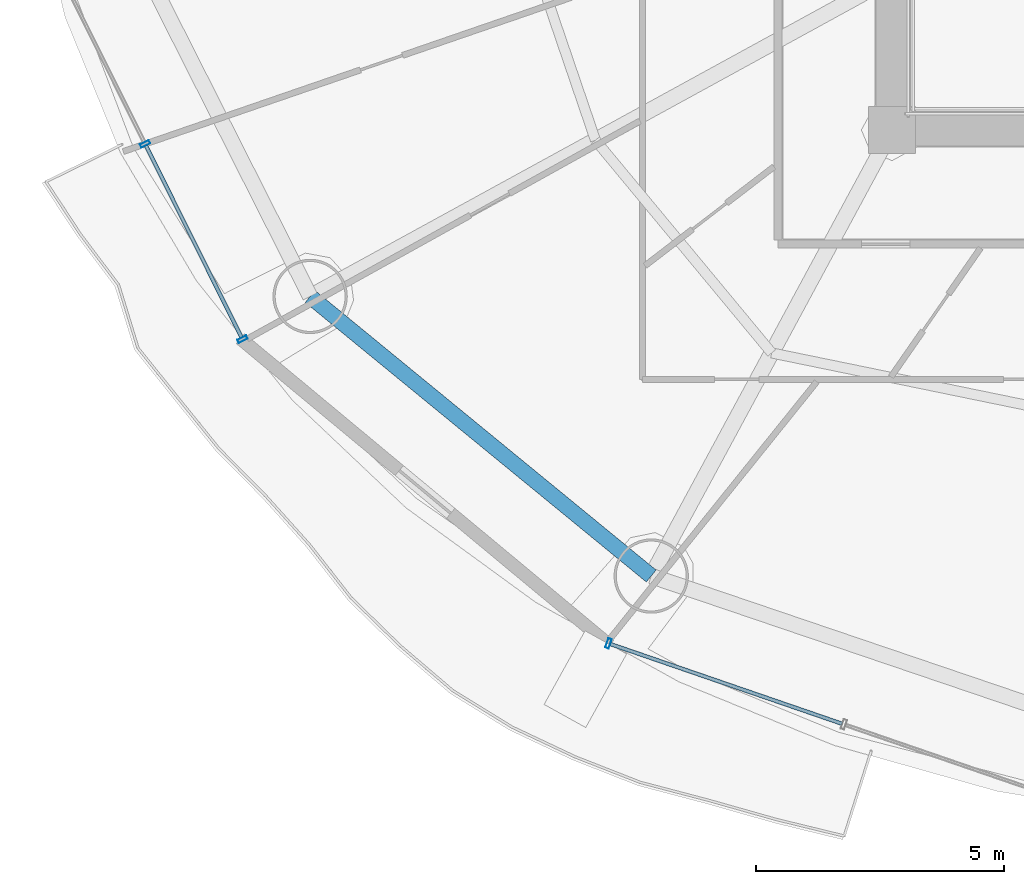
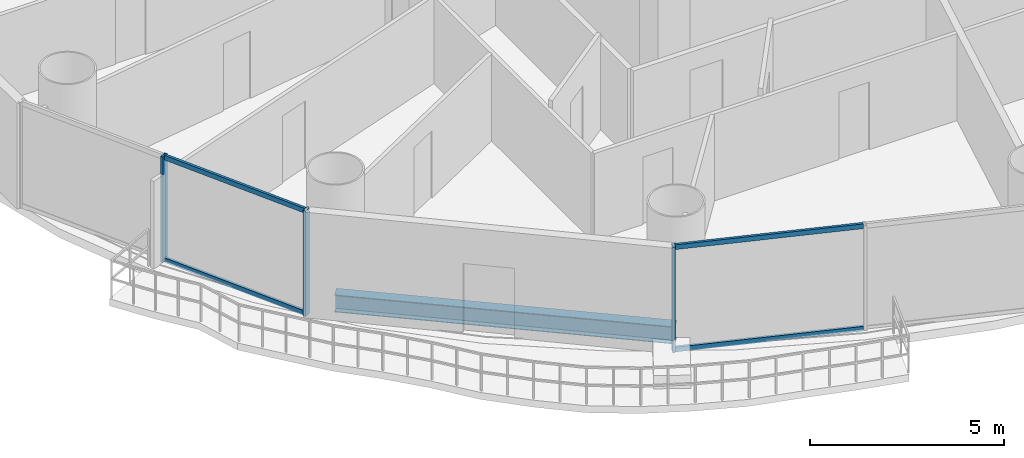
# One storey, part 2 of 29: 7 members, 1 beam, 2 elements without a shape of their own.
"""IFC4 building model written with IfcOpenShell, lengths in metres."""

from ifc_helpers import new_model, si_unit, direction, frame, origin, origin_2d, place, context, subcontext, project, spatial, hollow_rectangle, i_section, extrude, source, transform, mapped, material, material_profile, profile_set, type_object, element, aggregate, save


model = new_model("IFC4")

# Units and contexts
model_context = context("Model", 3, precision=1e-05, world=origin(), true_north=direction((-0.2419218956, 0.970295726276)))
body_context = subcontext(model_context, "Body", "Model", "MODEL_VIEW")
ifc_project = project(units=[si_unit("LENGTHUNIT", "METRE"), si_unit("AREAUNIT", "SQUARE_METRE"), si_unit("VOLUMEUNIT", "CUBIC_METRE"), si_unit("PLANEANGLEUNIT", "RADIAN"), si_unit("MASSUNIT", "GRAM", prefix="KILO")], contexts=[model_context])

# Site, building, storey
site_placement = place(None, origin())
site = spatial("IfcSite", under=ifc_project, at=site_placement, CompositionType="ELEMENT")
building_placement = place(site_placement, origin())
building = spatial("IfcBuilding", under=site, at=building_placement, Name="Cobrevalo Terracotta Tower", CompositionType="ELEMENT")
storey_placement = place(building_placement, frame((0.0, 0.0, 90.60009765625)))
storey = spatial("IfcBuildingStorey", under=building, at=storey_placement, Name="L23", CompositionType="ELEMENT", Elevation=90.60009765625)

# Beam
ifc_material_1 = material(Name="Steel S355", Category="steel")
ifc_material_profile_1 = material_profile(ifc_material_1, i_section(OverallWidth=0.31201171875, OverallDepth=0.54296875, WebThickness=0.0126953125, FlangeThickness=0.020263671875, at=origin_2d()), Name="W 530x150")
ifc_profile_set_1 = profile_set([ifc_material_profile_1], Name="Steel S355")
beam_type = type_object("IfcBeamType", Name="Structural Spandrel W 530x150 (Steel S355)", PredefinedType="SPANDREL", material=ifc_profile_set_1)
beam_placement = place(storey_placement, frame((17.2548828125, 15.4384765625, -0.546630859375), z_axis=(0.773400923541, -0.633917196064, 0.0), x_axis=(0.633917196064, 0.773400923541, 0.0)))
element("IfcBeam", 1, at=beam_placement, inside=storey, type_object=beam_type, Name="L23 perimeter ring spandrel 10", PredefinedType="SPANDREL", context=body_context, shape_type="SweptSolid", body=[
    extrude(i_section(OverallWidth=0.31201171875, OverallDepth=0.54296875, WebThickness=0.0126953125, FlangeThickness=0.020263671875, at=origin_2d()), origin(), (0.0, 0.0, 1.0), 8.900390625),
])

# Curtain wall, members
ifc_material_2 = material(Name="Anodized aluminium", Category="aluminium")
curtain_wall_type = type_object("IfcCurtainWallType", Name="Lower-tower unitised acoustic low-E curtain wall CW-U1", PredefinedType="NOTDEFINED", material=ifc_material_2)
curtain_wall_1_placement = place(storey_placement, origin())
curtain_wall_1 = element("IfcCurtainWall", 2, at=curtain_wall_1_placement, inside=storey, type_object=curtain_wall_type, Name="L23 curtain wall CW-L23-S09", PredefinedType="NOTDEFINED")
ifc_material_profile_2 = material_profile(ifc_material_2, hollow_rectangle(XDim=0.074951171875, YDim=0.199951171875, WallThickness=0.0048828125, at=origin_2d()), Name="CWM 75x200")
ifc_profile_set_2 = profile_set([ifc_material_profile_2], Name="Anodized aluminium")
member_type_1 = type_object("IfcMemberType", Name="Lower/mid tower unitised mullion 75x200", PredefinedType="MULLION", material=ifc_profile_set_2)
shared_shape_1 = source(origin(), body_context, "Body", "SweptSolid", [
    extrude(hollow_rectangle(XDim=0.074951171875, YDim=0.199951171875, WallThickness=0.0048828125, at=origin_2d()), origin(), (0.0, 0.0, 1.0), 3.324951171875),
])
member_1_placement = place(storey_placement, frame((13.924072265625, 18.516357421875, 0.0), z_axis=(0.0, 0.0, 1.0), x_axis=(0.446260290227, -0.894903208937, 0.0)))
member_1 = element("IfcMember", 3, at=member_1_placement, type_object=member_type_1, Name="CW-L23-S09 vertical mullion 02", PredefinedType="MULLION", context=body_context, shape_type="MappedRepresentation", body=[
    mapped(shared_shape_1, transform((0.0, 0.0, 0.0), scale=1.0)),
])
member_2_placement = place(storey_placement, frame((15.889892578125, 14.574462890625, 0.0), z_axis=(0.0, 0.0, 1.0), x_axis=(0.446260290227, -0.894903208937, 0.0)))
member_2 = element("IfcMember", 4, at=member_2_placement, type_object=member_type_1, Name="CW-L23-S09 vertical mullion 03", PredefinedType="MULLION", context=body_context, shape_type="MappedRepresentation", body=[
    mapped(shared_shape_1, transform((0.0, 0.0, 0.0), scale=1.0)),
])

curtain_wall_2_placement = place(storey_placement, origin())
curtain_wall_2 = element("IfcCurtainWall", 5, at=curtain_wall_2_placement, inside=storey, type_object=curtain_wall_type, Name="L23 curtain wall CW-L23-S11", PredefinedType="NOTDEFINED")
member_3_placement = place(storey_placement, frame((23.2763671875, 8.4365234375, 0.0), z_axis=(0.0, 0.0, 1.0), x_axis=(0.94559809868, -0.325337110968, 0.0)))
member_3 = element("IfcMember", 6, at=member_3_placement, type_object=member_type_1, Name="CW-L23-S11 vertical mullion 01", PredefinedType="MULLION", context=body_context, shape_type="MappedRepresentation", body=[
    mapped(shared_shape_1, transform((0.0, 0.0, 0.0), scale=1.0)),
])
ifc_material_profile_3 = material_profile(ifc_material_2, hollow_rectangle(XDim=0.074951171875, YDim=0.14990234375, WallThickness=0.00439453125, at=origin_2d()), Name="CWT 75x150")
ifc_profile_set_3 = profile_set([ifc_material_profile_3], Name="Anodized aluminium")
member_type_2 = type_object("IfcMemberType", Name="Tower unitised aluminium transom 75x150", PredefinedType="USERDEFINED", material=ifc_profile_set_3)
shared_shape_2 = source(origin(), body_context, "Body", "SweptSolid", [
    extrude(hollow_rectangle(XDim=0.074951171875, YDim=0.14990234375, WallThickness=0.00439453125, at=origin_2d()), origin(), (0.0, 0.0, 1.0), 4.944580078125),
])
member_4_placement = place(storey_placement, frame((23.314208984375, 8.42333984375, 0.0498046875), z_axis=(0.945597859971, -0.32533780478, 0.0), x_axis=(0.32533780478, 0.945597859971, 0.0)))
member_4 = element("IfcMember", 7, at=member_4_placement, type_object=member_type_2, Name="CW-L23-S11 transom B01-T1", ObjectType="TRANSOM", PredefinedType="USERDEFINED", context=body_context, shape_type="MappedRepresentation", body=[
    mapped(shared_shape_2, transform((0.0, 0.0, 0.0), scale=1.0)),
])
member_5_placement = place(storey_placement, frame((23.314208984375, 8.42333984375, 3.27490234375), z_axis=(0.945597859971, -0.32533780478, 0.0), x_axis=(0.32533780478, 0.945597859971, 0.0)))
member_5 = element("IfcMember", 8, at=member_5_placement, type_object=member_type_2, Name="CW-L23-S11 transom B01-T2", ObjectType="TRANSOM", PredefinedType="USERDEFINED", context=body_context, shape_type="MappedRepresentation", body=[
    mapped(shared_shape_2, transform((0.0, 0.0, 0.0), scale=1.0)),
])
aggregate(curtain_wall_2, [member_3, member_4, member_5])

# Member
shared_shape_3 = source(origin(), body_context, "Body", "SweptSolid", [
    extrude(hollow_rectangle(XDim=0.074951171875, YDim=0.14990234375, WallThickness=0.00439453125, at=origin_2d()), origin(), (0.0, 0.0, 1.0), 4.324951171875),
])
member_6_placement = place(storey_placement, frame((13.942138671875, 18.480712890625, 0.0498046875), z_axis=(0.446219838389, -0.894923379864, 0.0), x_axis=(0.894923379864, 0.446219838389, 0.0)))
member_6 = element("IfcMember", 9, at=member_6_placement, type_object=member_type_2, Name="CW-L23-S09 transom B02-T1", ObjectType="TRANSOM", PredefinedType="USERDEFINED", context=body_context, shape_type="MappedRepresentation", body=[
    mapped(shared_shape_3, transform((0.0, 0.0, 0.0), scale=1.0)),
])

member_7_placement = place(storey_placement, frame((13.942138671875, 18.480712890625, 3.27490234375), z_axis=(0.446219838389, -0.894923379864, 0.0), x_axis=(0.894923379864, 0.446219838389, 0.0)))
member_7 = element("IfcMember", 10, at=member_7_placement, type_object=member_type_2, Name="CW-L23-S09 transom B02-T2", ObjectType="TRANSOM", PredefinedType="USERDEFINED", context=body_context, shape_type="MappedRepresentation", body=[
    mapped(shared_shape_3, transform((0.0, 0.0, 0.0), scale=1.0)),
])

aggregate(curtain_wall_1, [member_1, member_2, member_6, member_7])

save(model, "model.ifc")
